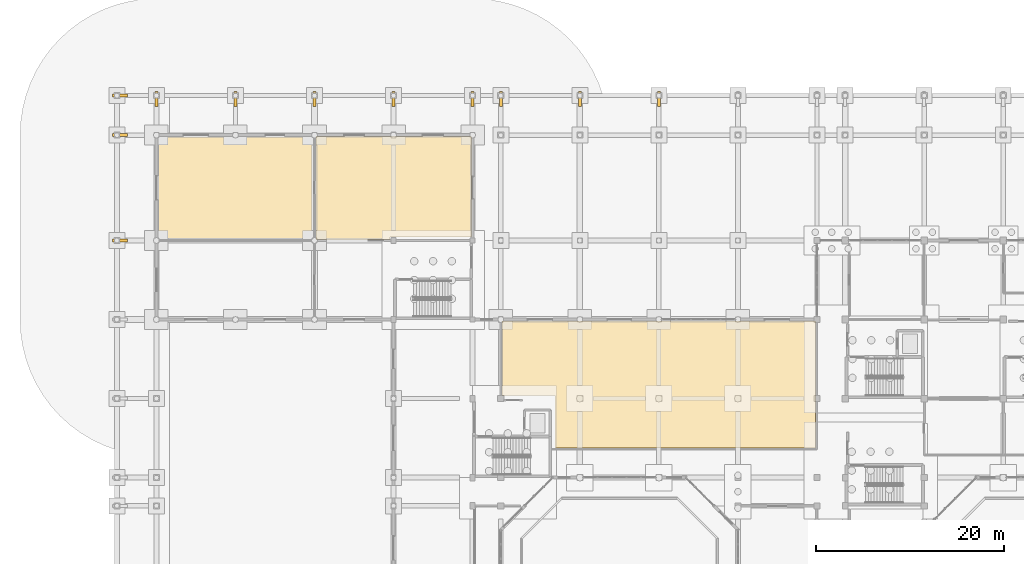
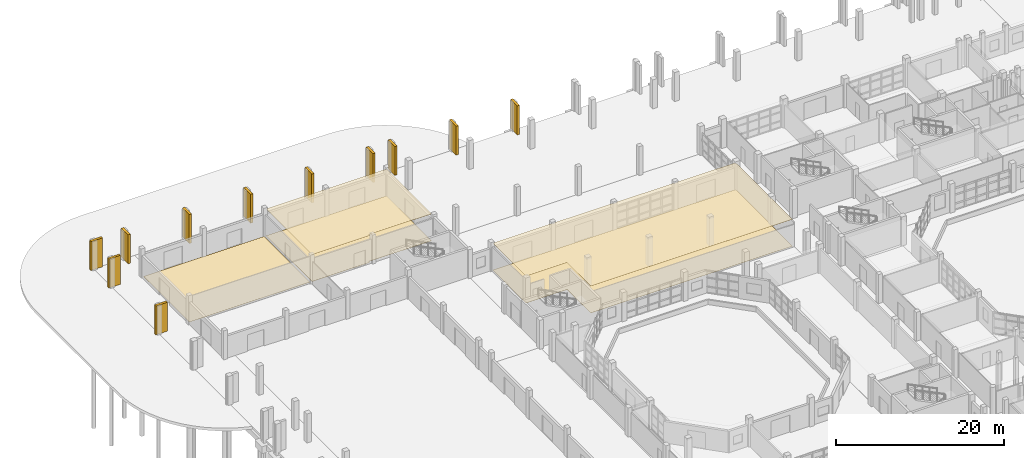
# One storey, part 82 of 88: 16 coverings.
"""IFC4 building model written with IfcOpenShell, lengths in metres."""

from ifc_helpers import new_model, si_unit, direction, frame, origin, origin_2d, place, context, subcontext, project, spatial, polyline, rectangle, outline, extrude, material, layer, layer_set, type_object, element, save


model = new_model("IFC4")

# Units and contexts
model_context = context("Model", 3, precision=1e-05, world=origin(), true_north=direction((0.0, 1.0)))
body_context = subcontext(model_context, "Body", "Model", "MODEL_VIEW")
ifc_project = project(units=[si_unit("LENGTHUNIT", "METRE"), si_unit("AREAUNIT", "SQUARE_METRE"), si_unit("VOLUMEUNIT", "CUBIC_METRE"), si_unit("PLANEANGLEUNIT", "RADIAN"), si_unit("MASSUNIT", "GRAM", prefix="KILO")], contexts=[model_context])

# Site, building, storey
site_placement = place(None, origin())
site = spatial("IfcSite", under=ifc_project, at=site_placement, CompositionType="ELEMENT")
building_placement = place(site_placement, origin())
building = spatial("IfcBuilding", under=site, at=building_placement, Name="Vanh Quang Courtyard School", CompositionType="ELEMENT")
storey_placement = place(building_placement, origin())
storey = spatial("IfcBuildingStorey", under=building, at=storey_placement, Name="L00", CompositionType="ELEMENT", Elevation=0.0)

# Coverings
ifc_material_1 = material(Name="Perforated mineral-fibre acoustic ceiling board")
ifc_layer_1 = layer(ifc_material_1, 0.02490234375)
ifc_layer_set_1 = layer_set([ifc_layer_1], Name="Perforated mineral-fibre acoustic ceiling board")
covering_type_1 = type_object("IfcCoveringType", Name="COV-CEIL-ACOUSTIC", PredefinedType="CEILING", material=ifc_layer_set_1)
covering_1_placement = place(storey_placement, frame((0.0, 0.0, 3.89501953125)))
element("IfcCovering", 1, at=covering_1_placement, inside=storey, type_object=covering_type_1, Name="Covering CV-CL1 (L00)", PredefinedType="CEILING", context=body_context, shape_type="SweptSolid", body=[
    extrude(outline(polyline([(21.1591796875, 96.72998046875), (21.158203125, 96.72998046875), (21.1572265625, 96.730224609375), (21.15625, 96.73046875), (21.155517578125, 96.730712890625), (21.154541015625, 96.731201171875), (21.153564453125, 96.731689453125), (21.15283203125, 96.732421875), (21.152099609375, 96.73291015625), (21.151611328125, 96.733642578125), (21.15087890625, 96.734375), (21.150390625, 96.7353515625), (21.14990234375, 96.736083984375), (21.149658203125, 96.737060546875), (21.1494140625, 96.738037109375), (21.149169921875, 96.739013671875), (21.149169921875, 96.739990234375), (21.14990234375, 107.659912109375), (21.14990234375, 107.660888671875), (21.150146484375, 107.662109375), (21.150390625, 107.662841796875), (21.15087890625, 107.663818359375), (21.151123046875, 107.664794921875), (21.151611328125, 107.66552734375), (21.15234375, 107.666259765625), (21.15283203125, 107.6669921875), (21.15380859375, 107.667724609375), (21.154296875, 107.668212890625), (21.1552734375, 107.668701171875), (21.15625, 107.669189453125), (21.156982421875, 107.669677734375), (21.157958984375, 107.669921875), (21.158935546875, 107.669921875), (21.159912109375, 107.669921875), (37.659912109375, 107.669921875), (37.660888671875, 107.669921875), (37.662109375, 107.669921875), (37.662841796875, 107.669677734375), (37.663818359375, 107.669189453125), (37.664794921875, 107.668701171875), (37.66552734375, 107.668212890625), (37.666259765625, 107.667724609375), (37.6669921875, 107.6669921875), (37.667724609375, 107.666259765625), (37.668212890625, 107.66552734375), (37.668701171875, 107.664794921875), (37.669189453125, 107.663818359375), (37.669677734375, 107.662841796875), (37.669921875, 107.662109375), (37.669921875, 107.660888671875), (37.669921875, 107.659912109375), (37.669921875, 96.949951171875), (29.050048828125, 96.949951171875), (29.050048828125, 96.72998046875), (21.1591796875, 96.72998046875)])), origin(), (0.0, 0.0, 1.0), 0.02490234375),
])
covering_2_placement = place(storey_placement, frame((0.0, 0.0, 3.89501953125)))
element("IfcCovering", 2, at=covering_2_placement, inside=storey, type_object=covering_type_1, Name="Covering CV-CL1 (L00)", PredefinedType="CEILING", context=body_context, shape_type="SweptSolid", body=[
    extrude(outline(polyline([(40.929931640625, 88.06005859375), (40.929931640625, 88.06103515625), (40.93017578125, 88.06201171875), (40.930419921875, 88.06298828125), (40.930908203125, 88.063720703125), (40.93115234375, 88.064697265625), (40.931640625, 88.065673828125), (40.932373046875, 88.06640625), (40.932861328125, 88.067138671875), (40.93359375, 88.067626953125), (40.934326171875, 88.068359375), (40.935302734375, 88.06884765625), (40.936279296875, 88.069091796875), (40.93701171875, 88.069580078125), (40.93798828125, 88.06982421875), (40.93896484375, 88.070068359375), (40.93994140625, 88.070068359375), (74.239990234375, 88.070068359375), (74.240966796875, 88.070068359375), (74.241943359375, 88.06982421875), (74.242919921875, 88.069580078125), (74.243896484375, 88.069091796875), (74.24462890625, 88.06884765625), (74.24560546875, 88.068359375), (74.246337890625, 88.067626953125), (74.2470703125, 88.067138671875), (74.247802734375, 88.06640625), (74.248291015625, 88.065673828125), (74.248779296875, 88.064697265625), (74.249267578125, 88.063720703125), (74.24951171875, 88.06298828125), (74.249755859375, 88.06201171875), (74.25, 88.06103515625), (74.25, 88.06005859375), (74.25, 74.5400390625), (74.25, 74.5390625), (74.249755859375, 74.5380859375), (74.24951171875, 74.537109375), (74.249267578125, 74.5361328125), (74.248779296875, 74.535400390625), (74.248291015625, 74.534423828125), (74.247802734375, 74.53369140625), (74.2470703125, 74.532958984375), (74.246337890625, 74.5322265625), (74.24560546875, 74.53173828125), (74.24462890625, 74.53125), (74.243896484375, 74.53076171875), (74.242919921875, 74.530517578125), (74.241943359375, 74.5302734375), (74.240966796875, 74.530029296875), (74.239990234375, 74.530029296875), (46.550048828125, 74.530029296875), (46.550048828125, 80.14990234375), (40.929931640625, 80.14990234375), (40.929931640625, 88.06005859375)])), origin(), (0.0, 0.0, 1.0), 0.02490234375),
])
ifc_material_2 = material(Name="Polished cementitious terrazzo tile", Category="concrete")
ifc_layer_2 = layer(ifc_material_2, 0.02001953125)
ifc_layer_set_2 = layer_set([ifc_layer_2], Name="Polished cementitious terrazzo tile")
covering_type_2 = type_object("IfcCoveringType", Name="COV-FLR-TERRAZZO", PredefinedType="FLOORING", material=ifc_layer_set_2)
covering_3_placement = place(storey_placement, origin())
element("IfcCovering", 3, at=covering_3_placement, inside=storey, type_object=covering_type_2, Name="Covering CV-FL1 (L00)", PredefinedType="FLOORING", context=body_context, shape_type="SweptSolid", body=[
    extrude(outline(polyline([(4.340087890625, 96.75), (4.339111328125, 96.75), (4.337890625, 96.750244140625), (4.337158203125, 96.75048828125), (4.336181640625, 96.750732421875), (4.335205078125, 96.751220703125), (4.33447265625, 96.751708984375), (4.333740234375, 96.752197265625), (4.3330078125, 96.7529296875), (4.332275390625, 96.753662109375), (4.331787109375, 96.75439453125), (4.331298828125, 96.75537109375), (4.330810546875, 96.756103515625), (4.330322265625, 96.757080078125), (4.330078125, 96.758056640625), (4.330078125, 96.759033203125), (4.330078125, 96.760009765625), (4.330078125, 107.659912109375), (4.330078125, 107.660888671875), (4.330078125, 107.662109375), (4.330322265625, 107.662841796875), (4.330810546875, 107.663818359375), (4.331298828125, 107.664794921875), (4.331787109375, 107.66552734375), (4.332275390625, 107.666259765625), (4.3330078125, 107.6669921875), (4.333740234375, 107.667724609375), (4.33447265625, 107.668212890625), (4.335205078125, 107.668701171875), (4.336181640625, 107.669189453125), (4.337158203125, 107.669677734375), (4.337890625, 107.669921875), (4.339111328125, 107.669921875), (4.340087890625, 107.669921875), (20.860107421875, 107.669921875), (20.861083984375, 107.669921875), (20.862060546875, 107.669921875), (20.86279296875, 107.669677734375), (20.86376953125, 107.669189453125), (20.86474609375, 107.668701171875), (20.865478515625, 107.668212890625), (20.8662109375, 107.667724609375), (20.8671875, 107.6669921875), (20.86767578125, 107.666259765625), (20.868408203125, 107.66552734375), (20.868896484375, 107.664794921875), (20.869140625, 107.663818359375), (20.86962890625, 107.662841796875), (20.869873046875, 107.662109375), (20.8701171875, 107.660888671875), (20.8701171875, 107.659912109375), (20.8701171875, 96.760009765625), (20.8701171875, 96.759033203125), (20.869873046875, 96.758056640625), (20.86962890625, 96.757080078125), (20.869140625, 96.756103515625), (20.868896484375, 96.75537109375), (20.868408203125, 96.75439453125), (20.86767578125, 96.753662109375), (20.8671875, 96.7529296875), (20.8662109375, 96.752197265625), (20.865478515625, 96.751708984375), (20.86474609375, 96.751220703125), (20.86376953125, 96.750732421875), (20.86279296875, 96.75048828125), (20.862060546875, 96.750244140625), (20.861083984375, 96.75), (20.860107421875, 96.75), (4.340087890625, 96.75)])), origin(), (0.0, 0.0, 1.0), 0.02001953125),
])
covering_4_placement = place(storey_placement, origin())
element("IfcCovering", 4, at=covering_4_placement, inside=storey, type_object=covering_type_2, Name="Covering CV-FL1 (L00)", PredefinedType="FLOORING", context=body_context, shape_type="SweptSolid", body=[
    extrude(outline(polyline([(21.1591796875, 96.72998046875), (21.158203125, 96.72998046875), (21.1572265625, 96.730224609375), (21.15625, 96.73046875), (21.155517578125, 96.730712890625), (21.154541015625, 96.731201171875), (21.153564453125, 96.731689453125), (21.15283203125, 96.732421875), (21.152099609375, 96.73291015625), (21.151611328125, 96.733642578125), (21.15087890625, 96.734375), (21.150390625, 96.7353515625), (21.14990234375, 96.736083984375), (21.149658203125, 96.737060546875), (21.1494140625, 96.738037109375), (21.149169921875, 96.739013671875), (21.149169921875, 96.739990234375), (21.14990234375, 107.659912109375), (21.14990234375, 107.660888671875), (21.150146484375, 107.662109375), (21.150390625, 107.662841796875), (21.15087890625, 107.663818359375), (21.151123046875, 107.664794921875), (21.151611328125, 107.66552734375), (21.15234375, 107.666259765625), (21.15283203125, 107.6669921875), (21.15380859375, 107.667724609375), (21.154296875, 107.668212890625), (21.1552734375, 107.668701171875), (21.15625, 107.669189453125), (21.156982421875, 107.669677734375), (21.157958984375, 107.669921875), (21.158935546875, 107.669921875), (21.159912109375, 107.669921875), (37.659912109375, 107.669921875), (37.660888671875, 107.669921875), (37.662109375, 107.669921875), (37.662841796875, 107.669677734375), (37.663818359375, 107.669189453125), (37.664794921875, 107.668701171875), (37.66552734375, 107.668212890625), (37.666259765625, 107.667724609375), (37.6669921875, 107.6669921875), (37.667724609375, 107.666259765625), (37.668212890625, 107.66552734375), (37.668701171875, 107.664794921875), (37.669189453125, 107.663818359375), (37.669677734375, 107.662841796875), (37.669921875, 107.662109375), (37.669921875, 107.660888671875), (37.669921875, 107.659912109375), (37.669921875, 96.949951171875), (29.050048828125, 96.949951171875), (29.050048828125, 96.72998046875), (21.1591796875, 96.72998046875)])), origin(), (0.0, 0.0, 1.0), 0.02001953125),
])
covering_5_placement = place(storey_placement, origin())
element("IfcCovering", 5, at=covering_5_placement, inside=storey, type_object=covering_type_2, Name="Covering CV-FL1 (L00)", PredefinedType="FLOORING", context=body_context, shape_type="SweptSolid", body=[
    extrude(outline(polyline([(40.929931640625, 88.06005859375), (40.929931640625, 88.06103515625), (40.93017578125, 88.06201171875), (40.930419921875, 88.06298828125), (40.930908203125, 88.063720703125), (40.93115234375, 88.064697265625), (40.931640625, 88.065673828125), (40.932373046875, 88.06640625), (40.932861328125, 88.067138671875), (40.93359375, 88.067626953125), (40.934326171875, 88.068359375), (40.935302734375, 88.06884765625), (40.936279296875, 88.069091796875), (40.93701171875, 88.069580078125), (40.93798828125, 88.06982421875), (40.93896484375, 88.070068359375), (40.93994140625, 88.070068359375), (74.239990234375, 88.070068359375), (74.240966796875, 88.070068359375), (74.241943359375, 88.06982421875), (74.242919921875, 88.069580078125), (74.243896484375, 88.069091796875), (74.24462890625, 88.06884765625), (74.24560546875, 88.068359375), (74.246337890625, 88.067626953125), (74.2470703125, 88.067138671875), (74.247802734375, 88.06640625), (74.248291015625, 88.065673828125), (74.248779296875, 88.064697265625), (74.249267578125, 88.063720703125), (74.24951171875, 88.06298828125), (74.249755859375, 88.06201171875), (74.25, 88.06103515625), (74.25, 88.06005859375), (74.25, 74.5400390625), (74.25, 74.5390625), (74.249755859375, 74.5380859375), (74.24951171875, 74.537109375), (74.249267578125, 74.5361328125), (74.248779296875, 74.535400390625), (74.248291015625, 74.534423828125), (74.247802734375, 74.53369140625), (74.2470703125, 74.532958984375), (74.246337890625, 74.5322265625), (74.24560546875, 74.53173828125), (74.24462890625, 74.53125), (74.243896484375, 74.53076171875), (74.242919921875, 74.530517578125), (74.241943359375, 74.5302734375), (74.240966796875, 74.530029296875), (74.239990234375, 74.530029296875), (46.550048828125, 74.530029296875), (46.550048828125, 80.14990234375), (40.929931640625, 80.14990234375), (40.929931640625, 88.06005859375)])), origin(), (0.0, 0.0, 1.0), 0.02001953125),
])
ifc_material_3 = material(Name="Board-marked precast concrete C40/50", Category="concrete")
ifc_layer_3 = layer(ifc_material_3, 0.239990234375)
ifc_layer_set_3 = layer_set([ifc_layer_3], Name="Board-marked precast concrete C40/50")
covering_type_3 = type_object("IfcCoveringType", Name="COV-HOOD-CONC", PredefinedType="CLADDING", material=ifc_layer_set_3)
for number, where, z_axis, x_axis, name in (
    (6, (0.35009765625, 96.60009765625, 0.0), (0.0, 0.0, 1.0), (1.0, 0.0, 0.0), "Covering CH-01 (L00)"),
    (7, (0.35009765625, 107.800048828125, 0.0), (0.0, 0.0, 1.0), (1.0, 0.0, 0.0), "Covering CH-01 (L00)"),
    (8, (0.35009765625, 112.0, 0.0), (0.0, 0.0, 1.0), (1.0, 0.0, 0.0), "Covering CH-01 (L00)"),
    (9, (4.199951171875, 111.64990234375, 0.0), (0.0, 0.0, 1.0), (0.0, 1.0, 0.0), "Covering CH-01 (L00)"),
    (10, (12.60009765625, 111.64990234375, 0.0), (0.0, 0.0, 1.0), (0.0, 1.0, 0.0), "Covering CH-01 (L00)"),
    (11, (21.0, 111.64990234375, 0.0), (0.0, 0.0, 1.0), (0.0, 1.0, 0.0), "Covering CH-01 (L00)"),
    (12, (29.39990234375, 111.64990234375, 0.0), (0.0, 0.0, 1.0), (0.0, 1.0, 0.0), "Covering CH-01 (L00)"),
    (13, (37.800048828125, 111.64990234375, 0.0), (0.0, 0.0, 1.0), (0.0, 1.0, 0.0), "Covering CH-01 (L00)"),
    (14, (40.800048828125, 111.64990234375, 0.0), (0.0, 0.0, 1.0), (0.0, 1.0, 0.0), "Covering CH-01 (L00)"),
    (15, (49.199951171875, 111.64990234375, 0.0), (0.0, 0.0, 1.0), (0.0, 1.0, 0.0), "Covering CH-01 (L00)"),
    (16, (57.60009765625, 111.64990234375, 0.0), (0.0, 0.0, 1.0), (0.0, 1.0, 0.0), "Covering CH-01 (L00)"),
):
    element("IfcCovering", number, at=place(storey_placement, frame(where, z_axis=z_axis, x_axis=x_axis)), inside=storey, type_object=covering_type_3, Name=name, PredefinedType="CLADDING", context=body_context, shape_type="SweptSolid", body=[
        extrude(rectangle(XDim=1.60009765625, YDim=0.320068359375, at=origin_2d()), origin(), (0.0, 0.0, 1.0), 4.199951171875),
    ])

save(model, "model.ifc")
